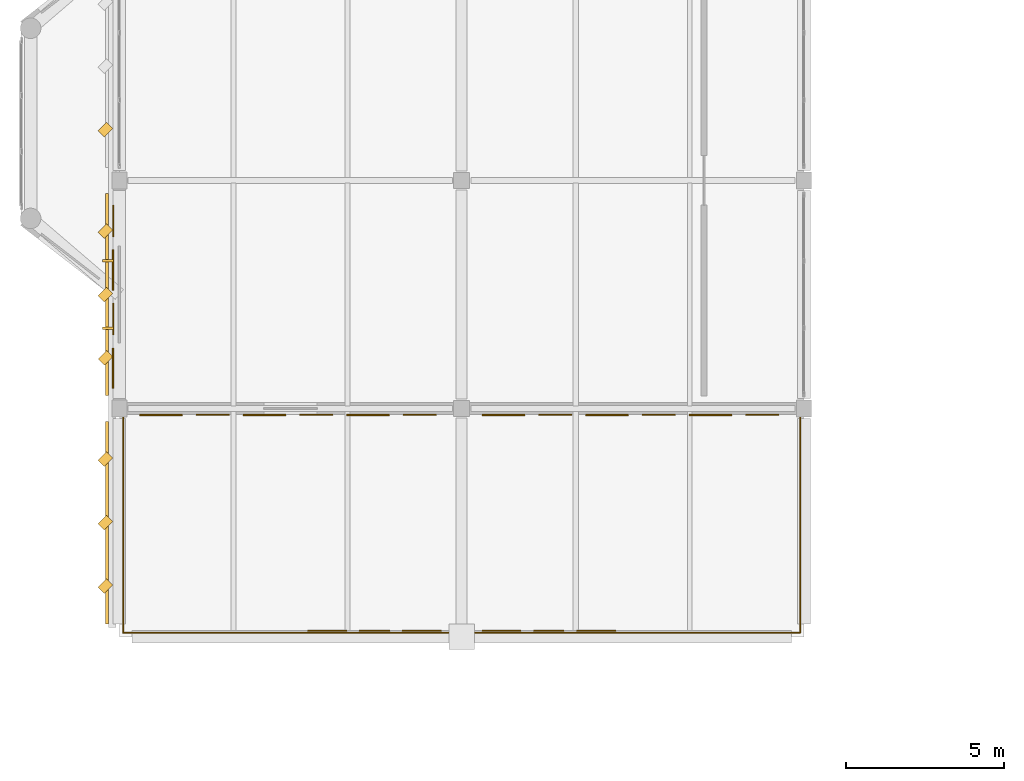
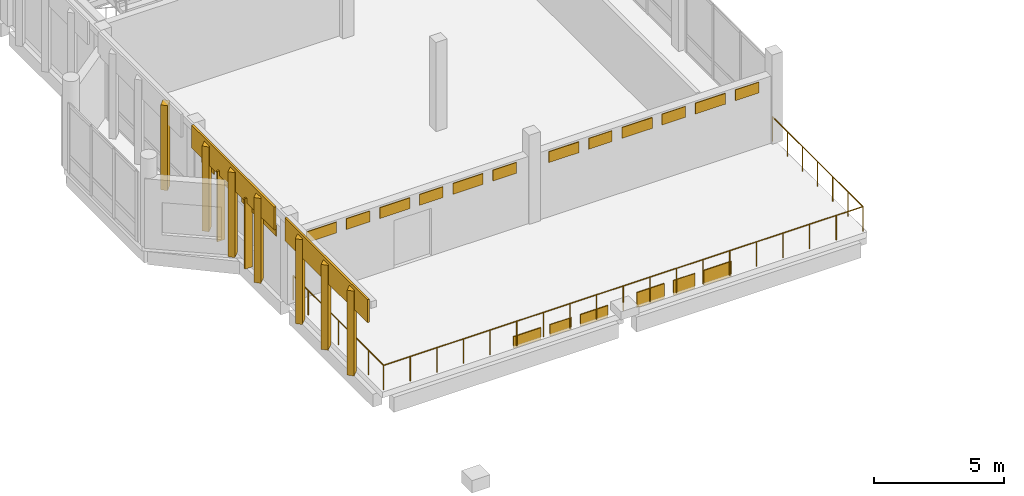
# One storey, part 63 of 72: 33 coverings, 1 railing.
"""IFC4 building model written with IfcOpenShell, lengths in metres."""

import ifcopenshell
import ifcopenshell.guid

model = None  # the IFC model being written
_history = None  # IfcOwnerHistory: only IFC2X3 demands one
_inside = {}  # id of a spatial element -> (the spatial element, [elements in it])
_under = {}  # id of a project, library or spatial element -> (it, [spatial elements below it])
_declared = {}  # id of a project -> (the project, [libraries it declares])
_typed = {}  # id of a type object -> (the type object, [elements of that type])
_made_of = {}  # id of a material, layer set ... -> (it, [elements and type objects made of it])


def new_model(schema):
    """Start an empty IFC model of exactly this schema.

    Asked for "IFC4X3", IfcOpenShell would pick the latest addendum, in which some entities
    have other attributes; the version numbers below select the first issue.
    IFC2X3 requires an IfcOwnerHistory on every rooted entity: one is made here for all.
    """
    global model, _history
    if schema == "IFC4X3":
        model = ifcopenshell.file(schema_version=(4, 3, 0, 0))
    else:
        model = ifcopenshell.file(schema=schema)
    _inside.clear()
    _under.clear()
    _declared.clear()
    _typed.clear()
    _made_of.clear()
    _history = None
    if model.schema == "IFC2X3":
        org = make("IfcOrganization", Name="unknown")
        user = make(
            "IfcPersonAndOrganization",
            ThePerson=make("IfcPerson", FamilyName="unknown"),
            TheOrganization=org,
        )
        app = make(
            "IfcApplication",
            ApplicationDeveloper=org,
            Version="unknown",
            ApplicationFullName="unknown",
            ApplicationIdentifier="unknown",
        )
        _history = make(
            "IfcOwnerHistory",
            OwningUser=user,
            OwningApplication=app,
            ChangeAction="ADDED",
            CreationDate=0,
        )
    return model


def make(cls, **values):
    """One entity of the class cls with the attributes given. An attribute that is None is left unset."""
    return model.create_entity(
        cls, **{name: value for name, value in values.items() if value is not None}
    )


def rooted(cls, **values):
    """An entity with a GlobalId (a new one), such as an element, a storey or a relation."""
    return make(cls, GlobalId=ifcopenshell.guid.new(), OwnerHistory=_history, **values)


def si_unit(unit_type, name, prefix=None):
    """IfcSIUnit, for example si_unit("LENGTHUNIT", "METRE", prefix="MILLI")."""
    return make("IfcSIUnit", UnitType=unit_type, Prefix=prefix, Name=name)


def assignment(units):
    """IfcUnitAssignment: the units of a project."""
    return None if units is None else make("IfcUnitAssignment", Units=units)


def point(xyz):
    """IfcCartesianPoint."""
    return None if xyz is None else make("IfcCartesianPoint", Coordinates=xyz)


def direction(xyz):
    """IfcDirection."""
    return None if xyz is None else make("IfcDirection", DirectionRatios=xyz)


def frame(location, z_axis=None, x_axis=None):
    """IfcAxis2Placement3D, a coordinate frame: its origin and axes. An axis left out is left unset."""
    return make(
        "IfcAxis2Placement3D",
        Location=point(location),
        Axis=direction(z_axis),
        RefDirection=direction(x_axis),
    )


def frame_2d(location, x_axis=None):
    """IfcAxis2Placement2D, a coordinate frame in the plane: its origin and x axis."""
    return make(
        "IfcAxis2Placement2D", Location=point(location), RefDirection=direction(x_axis)
    )


def origin():
    """The frame at (0, 0, 0) with its axes left unset."""
    return frame((0.0, 0.0, 0.0))


def origin_2d():
    """The frame at (0, 0) in the plane with its x axis left unset."""
    return frame_2d((0.0, 0.0))


def place(relative_to, where):
    """IfcLocalPlacement: puts the frame where relative to a parent placement (None: the world)."""
    return make(
        "IfcLocalPlacement", PlacementRelTo=relative_to, RelativePlacement=where
    )


def context(
    kind, dimensions, precision=None, world=None, true_north=None, identifier=None
):
    """IfcGeometricRepresentationContext, for example the 3D "Model" context."""
    return make(
        "IfcGeometricRepresentationContext",
        ContextIdentifier=identifier,
        ContextType=kind,
        CoordinateSpaceDimension=dimensions,
        Precision=precision,
        WorldCoordinateSystem=world,
        TrueNorth=true_north,
    )


def subcontext(parent, identifier, kind, view, scale=None):
    """IfcGeometricRepresentationSubContext, for example "Body" below "Model"."""
    return make(
        "IfcGeometricRepresentationSubContext",
        ContextIdentifier=identifier,
        ContextType=kind,
        ParentContext=parent,
        TargetScale=scale,
        TargetView=view,
    )


def project(units=None, contexts=None):
    """IfcProject with its units and contexts."""
    return rooted(
        "IfcProject",
        Name="project",
        RepresentationContexts=contexts,
        UnitsInContext=assignment(units),
    )


def spatial(cls, under=None, at=None, **own):
    """A site, building, storey or space (cls), placed at a placement, below another one or the project."""
    s = rooted(cls, ObjectPlacement=at, **own)
    if under is not None:
        _under.setdefault(under.id(), (under, []))[1].append(s)
    return s


def profile(cls, at=None, kind="AREA", **sizes):
    """A parametric profile (cls). Its sizes go by their IFC names, for example OverallWidth=200.0."""
    return make(cls, ProfileType=kind, Position=at, **sizes)


def rectangle(**sizes):
    """IfcRectangleProfileDef."""
    return profile("IfcRectangleProfileDef", **sizes)


def circle(**sizes):
    """IfcCircleProfileDef."""
    return profile("IfcCircleProfileDef", **sizes)


def extrude(swept, where, along, depth):
    """IfcExtrudedAreaSolid: the profile swept, set in the frame where, extruded along a direction by depth."""
    return make(
        "IfcExtrudedAreaSolid",
        SweptArea=swept,
        Position=where,
        ExtrudedDirection=direction(along),
        Depth=depth,
    )


def shape(context_of_items, identifier, shape_type, items):
    """IfcShapeRepresentation: the items that make up one representation, for example the "Body"."""
    return make(
        "IfcShapeRepresentation",
        ContextOfItems=context_of_items,
        RepresentationIdentifier=identifier,
        RepresentationType=shape_type,
        Items=items,
    )


def material(Name=None, Category=None):
    """IfcMaterial."""
    return make("IfcMaterial", Name=Name, Category=Category)


def layer(
    of_material, thickness, ventilated=None, Name=None, Category=None, Priority=None
):
    """IfcMaterialLayer: one layer of a wall or slab, of a material (None: an air gap)."""
    return make(
        "IfcMaterialLayer",
        Material=of_material,
        LayerThickness=thickness,
        IsVentilated=ventilated,
        Name=Name,
        Category=Category,
        Priority=Priority,
    )


def layer_set(layers, Name=None):
    """IfcMaterialLayerSet."""
    return make("IfcMaterialLayerSet", MaterialLayers=layers, LayerSetName=Name)


def made_of(thing, what):
    """Note that an element or type object is made of a material, layer set ...; save() writes the relation."""
    if what is not None:
        _made_of.setdefault(what.id(), (what, []))[1].append(thing)
    return thing


def type_object(cls, material=None, **own):
    """A type object (cls), such as IfcWallType, which elements share."""
    return made_of(rooted(cls, **own), material)


def element(
    cls,
    number,
    at=None,
    inside=None,
    cuts=None,
    type_object=None,
    material=None,
    context=None,
    identifier="Body",
    shape_type=None,
    held_by="IfcProductDefinitionShape",
    body=None,
    shapes=None,
    **own,
):
    """One element of the class cls, such as IfcWall. Its Tag is "e" and its number.

    at: its placement. inside: the storey or other place that contains it. cuts: it is an
    opening in that element (IfcRelVoidsElement). A single representation is given by context,
    identifier, shape_type and body (its items); several are given by shapes. held_by: the class
    of the entity that holds the representations. save() writes the other relations.
    """
    e = rooted(cls, Tag="e%d" % number, ObjectPlacement=at, **own)
    if body is not None:
        shapes = [shape(context, identifier, shape_type, body)]
    if shapes is not None:
        e.Representation = make(held_by, Representations=shapes)
    if inside is not None:
        _inside.setdefault(inside.id(), (inside, []))[1].append(e)
    if cuts is not None:
        rooted(
            "IfcRelVoidsElement", RelatingBuildingElement=cuts, RelatedOpeningElement=e
        )
    if type_object is not None:
        _typed.setdefault(type_object.id(), (type_object, []))[1].append(e)
    return made_of(e, material)


def aggregate(whole, parts):
    """IfcRelAggregates: a whole, such as a stair, and the parts it consists of."""
    return rooted("IfcRelAggregates", RelatingObject=whole, RelatedObjects=parts)


def save(model, path):
    """Write the relations noted so far, then the file.

    IfcRelAggregates (storeys below a building ...), IfcRelContainedInSpatialStructure (elements
    in a storey), IfcRelDefinesByType, IfcRelAssociatesMaterial and IfcRelDeclares: one each for
    every whole, place, type object, material and project.
    """
    for whole, parts in _under.values():
        aggregate(whole, parts)
    for where, things in _inside.values():
        rooted(
            "IfcRelContainedInSpatialStructure",
            RelatedElements=things,
            RelatingStructure=where,
        )
    for kind, things in _typed.values():
        rooted("IfcRelDefinesByType", RelatedObjects=things, RelatingType=kind)
    for what, things in _made_of.values():
        rooted("IfcRelAssociatesMaterial", RelatedObjects=things, RelatingMaterial=what)
    for by, libraries in _declared.values():
        rooted("IfcRelDeclares", RelatingContext=by, RelatedDefinitions=libraries)
    model.write(path)


model = new_model("IFC4")

# Units and contexts
model_context = context("Model", 3, precision=1e-05, world=origin(), true_north=direction((0.0, 1.0)))
body_context = subcontext(model_context, "Body", "Model", "MODEL_VIEW")
ifc_project = project(units=[si_unit("LENGTHUNIT", "METRE"), si_unit("AREAUNIT", "SQUARE_METRE"), si_unit("VOLUMEUNIT", "CUBIC_METRE"), si_unit("PLANEANGLEUNIT", "RADIAN"), si_unit("MASSUNIT", "GRAM", prefix="KILO")], contexts=[model_context])

# Site, building, storey
site_placement = place(None, origin())
site = spatial("IfcSite", under=ifc_project, at=site_placement, CompositionType="ELEMENT")
building_placement = place(site_placement, origin())
building = spatial("IfcBuilding", under=site, at=building_placement, Name="Lusvemor Sports Hall", CompositionType="ELEMENT")
storey_placement = place(building_placement, frame((0.0, 0.0, 15.0)))
storey = spatial("IfcBuildingStorey", under=building, at=storey_placement, Name="L03", CompositionType="ELEMENT", Elevation=15.0)

# Coverings
ifc_material_1 = material(Name="Emerald polychrome glazed ceramic cladding on Concrete C40/50 backing", Category="concrete")
ifc_layer_1 = layer(ifc_material_1, 0.0458984375)
ifc_layer_set_1 = layer_set([ifc_layer_1], Name="Emerald polychrome glazed ceramic cladding on Concrete C40/50 backing")
covering_type_1 = type_object("IfcCoveringType", Name="CLAD_WAVE_EMERALD", PredefinedType="CLADDING", material=ifc_layer_set_1)
for number, where, z_axis, x_axis, name in (
    (1, (6.556640625, 46.990478515625, -0.119873046875), (0.0, 0.0, 1.0), (1.0, 0.0, 0.0), "Art Nouveau Patterned Cladding PS-WAVEN0-0-2-1"),
    (2, (9.543212890625, 46.990478515625, -0.119873046875), (0.0, 0.0, 1.0), (1.0, 0.0, 0.0), "Art Nouveau Patterned Cladding PS-WAVEN0-0-2-3"),
):
    element("IfcCovering", number, at=place(storey_placement, frame(where, z_axis=z_axis, x_axis=x_axis)), inside=storey, type_object=covering_type_1, Name=name, PredefinedType="CLADDING", context=body_context, shape_type="SweptSolid", body=[
        extrude(rectangle(XDim=1.224609375, YDim=0.0458984375, at=origin_2d()), origin(), (0.0, 0.0, 1.0), 0.5498046875),
    ])
for number, where, z_axis, x_axis, name in (
    (3, (12.056640625, 46.990478515625, -0.1201171875), (0.0, 0.0, 1.0), (1.0, 0.0, 0.0), "Art Nouveau Patterned Cladding PS-WAVEN0-1-1-1"),
    (4, (15.043212890625, 46.990478515625, -0.1201171875), (0.0, 0.0, 1.0), (1.0, 0.0, 0.0), "Art Nouveau Patterned Cladding PS-WAVEN0-1-1-3"),
):
    element("IfcCovering", number, at=place(storey_placement, frame(where, z_axis=z_axis, x_axis=x_axis)), inside=storey, type_object=covering_type_1, Name=name, PredefinedType="CLADDING", context=body_context, shape_type="SweptSolid", body=[
        extrude(rectangle(XDim=1.224609375, YDim=0.0458984375, at=origin_2d()), origin(), (0.0, 0.0, 1.0), 0.7041015625),
    ])
for number, where, z_axis, x_axis, name in (
    (5, (-0.197998046875, 55.27490234375, 2.669921875), (0.0, 0.0, 1.0), (1.0, 0.0, 0.0), "Art Nouveau Patterned Cladding PS-EW-L03-W-0-0-1"),
    (6, (-0.197998046875, 58.375, 2.669921875), (0.0, 0.0, 1.0), (1.0, 0.0, 0.0), "Art Nouveau Patterned Cladding PS-EW-L03-W-0-0-3"),
):
    element("IfcCovering", number, at=place(storey_placement, frame(where, z_axis=z_axis, x_axis=x_axis)), inside=storey, type_object=covering_type_1, Name=name, PredefinedType="CLADDING", context=body_context, shape_type="SweptSolid", body=[
        extrude(rectangle(XDim=0.0458984375, YDim=1.27099609375, at=origin_2d()), origin(), (0.0, 0.0, 1.0), 0.510009765625),
    ])
for number, where, z_axis, x_axis, name in (
    (7, (1.316650390625, 53.802001953125, 2.580078125), (0.0, 0.0, 1.0), (1.0, 0.0, 0.0), "Art Nouveau Patterned Cladding PS-EW-L03-S-5-0-1"),
    (8, (4.583251953125, 53.802001953125, 2.580078125), (0.0, 0.0, 1.0), (1.0, 0.0, 0.0), "Art Nouveau Patterned Cladding PS-EW-L03-S-5-0-3"),
    (9, (7.85009765625, 53.802001953125, 2.580078125), (0.0, 0.0, 1.0), (1.0, 0.0, 0.0), "Art Nouveau Patterned Cladding PS-EW-L03-S-5-0-5"),
    (10, (12.11669921875, 53.802001953125, 2.580078125), (0.0, 0.0, 1.0), (1.0, 0.0, 0.0), "Art Nouveau Patterned Cladding PS-EW-L03-S-5-1-1"),
    (11, (15.38330078125, 53.802001953125, 2.580078125), (0.0, 0.0, 1.0), (1.0, 0.0, 0.0), "Art Nouveau Patterned Cladding PS-EW-L03-S-5-1-3"),
    (12, (18.64990234375, 53.802001953125, 2.580078125), (0.0, 0.0, 1.0), (1.0, 0.0, 0.0), "Art Nouveau Patterned Cladding PS-EW-L03-S-5-1-5"),
):
    element("IfcCovering", number, at=place(storey_placement, frame(where, z_axis=z_axis, x_axis=x_axis)), inside=storey, type_object=covering_type_1, Name=name, PredefinedType="CLADDING", context=body_context, shape_type="SweptSolid", body=[
        extrude(rectangle(XDim=1.33935546875, YDim=0.0458984375, at=origin_2d()), origin(), (0.0, 0.0, 1.0), 0.510009765625),
    ])
for number, where, z_axis, x_axis, name in (
    (13, (-0.43994140625, 50.39990234375, 0.10009765625), (0.0, 0.0, 1.0), (0.707106781187, 0.707106781187, 0.0), "Patterned Diamond Cladding Rib 999"),
    (14, (-0.43994140625, 57.60009765625, 0.10009765625), (0.0, 0.0, 1.0), (0.707106781187, 0.707106781187, 0.0), "Patterned Diamond Cladding Rib 1015"),
):
    element("IfcCovering", number, at=place(storey_placement, frame(where, z_axis=z_axis, x_axis=x_axis)), inside=storey, type_object=covering_type_1, Name=name, PredefinedType="CLADDING", context=body_context, shape_type="SweptSolid", body=[
        extrude(rectangle(XDim=0.3798828125, YDim=0.280029296875, at=origin_2d()), origin(), (0.0, 0.0, 1.0), 4.0),
    ])
ifc_material_2 = material(Name="Warm terracotta Art Nouveau ceramic cladding on Concrete C40/50 backing", Category="masonry")
ifc_layer_2 = layer(ifc_material_2, 0.0380859375)
ifc_layer_set_2 = layer_set([ifc_layer_2], Name="Warm terracotta Art Nouveau ceramic cladding on Concrete C40/50 backing")
covering_type_2 = type_object("IfcCoveringType", Name="CLAD_WAVE_OCHRE", PredefinedType="CLADDING", material=ifc_layer_set_2)
covering_1_placement = place(storey_placement, frame((8.050048828125, 46.986572265625, -0.119873046875), z_axis=(0.0, 0.0, 1.0), x_axis=(1.0, 0.0, 0.0)))
element("IfcCovering", 15, at=covering_1_placement, inside=storey, type_object=covering_type_2, Name="Art Nouveau Patterned Cladding PS-WAVEN0-0-2-2", PredefinedType="CLADDING", context=body_context, shape_type="SweptSolid", body=[
    extrude(rectangle(XDim=0.955810546875, YDim=0.0380859375, at=origin_2d()), origin(), (0.0, 0.0, 1.0), 0.5498046875),
])
covering_2_placement = place(storey_placement, frame((13.550048828125, 46.986572265625, -0.1201171875), z_axis=(0.0, 0.0, 1.0), x_axis=(1.0, 0.0, 0.0)))
element("IfcCovering", 16, at=covering_2_placement, inside=storey, type_object=covering_type_2, Name="Art Nouveau Patterned Cladding PS-WAVEN0-1-1-2", PredefinedType="CLADDING", context=body_context, shape_type="SweptSolid", body=[
    extrude(rectangle(XDim=0.955810546875, YDim=0.0380859375, at=origin_2d()), origin(), (0.0, 0.0, 1.0), 0.7041015625),
])
for number, where, z_axis, x_axis, name in (
    (17, (-0.194091796875, 56.824951171875, 2.669921875), (0.0, 0.0, 1.0), (1.0, 0.0, 0.0), "Art Nouveau Patterned Cladding PS-EW-L03-W-0-0-2"),
    (18, (-0.194091796875, 59.925048828125, 2.669921875), (0.0, 0.0, 1.0), (1.0, 0.0, 0.0), "Art Nouveau Patterned Cladding PS-EW-L03-W-0-0-4"),
):
    element("IfcCovering", number, at=place(storey_placement, frame(where, z_axis=z_axis, x_axis=x_axis)), inside=storey, type_object=covering_type_2, Name=name, PredefinedType="CLADDING", context=body_context, shape_type="SweptSolid", body=[
        extrude(rectangle(XDim=0.0380859375, YDim=0.991943359375, at=origin_2d()), origin(), (0.0, 0.0, 1.0), 0.510009765625),
    ])
for number, where, z_axis, x_axis, name in (
    (19, (2.949951171875, 53.805908203125, 2.580078125), (0.0, 0.0, 1.0), (1.0, 0.0, 0.0), "Art Nouveau Patterned Cladding PS-EW-L03-S-5-0-2"),
    (20, (6.216796875, 53.805908203125, 2.580078125), (0.0, 0.0, 1.0), (1.0, 0.0, 0.0), "Art Nouveau Patterned Cladding PS-EW-L03-S-5-0-4"),
    (21, (9.4833984375, 53.805908203125, 2.580078125), (0.0, 0.0, 1.0), (1.0, 0.0, 0.0), "Art Nouveau Patterned Cladding PS-EW-L03-S-5-0-6"),
    (22, (13.75, 53.805908203125, 2.580078125), (0.0, 0.0, 1.0), (1.0, 0.0, 0.0), "Art Nouveau Patterned Cladding PS-EW-L03-S-5-1-2"),
    (23, (17.0166015625, 53.805908203125, 2.580078125), (0.0, 0.0, 1.0), (1.0, 0.0, 0.0), "Art Nouveau Patterned Cladding PS-EW-L03-S-5-1-4"),
    (24, (20.283203125, 53.805908203125, 2.580078125), (0.0, 0.0, 1.0), (1.0, 0.0, 0.0), "Art Nouveau Patterned Cladding PS-EW-L03-S-5-1-6"),
):
    element("IfcCovering", number, at=place(storey_placement, frame(where, z_axis=z_axis, x_axis=x_axis)), inside=storey, type_object=covering_type_2, Name=name, PredefinedType="CLADDING", context=body_context, shape_type="SweptSolid", body=[
        extrude(rectangle(XDim=1.04541015625, YDim=0.0380859375, at=origin_2d()), origin(), (0.0, 0.0, 1.0), 0.510009765625),
    ])
for number, where, z_axis, x_axis, name in (
    (25, (-0.389892578125, 50.39990234375, 3.179931640625), (0.0, 0.0, 1.0), (1.0, 0.0, 0.0), "Art Nouveau Spandrel Cornice 997"),
    (26, (-0.389892578125, 57.60009765625, 3.179931640625), (0.0, 0.0, 1.0), (1.0, 0.0, 0.0), "Art Nouveau Spandrel Cornice 1013"),
):
    element("IfcCovering", number, at=place(storey_placement, frame(where, z_axis=z_axis, x_axis=x_axis)), inside=storey, type_object=covering_type_2, Name=name, PredefinedType="CLADDING", context=body_context, shape_type="SweptSolid", body=[
        extrude(rectangle(XDim=0.090087890625, YDim=6.3798828125, at=origin_2d()), origin(), (0.0, 0.0, 1.0), 1.080078125),
    ])
ifc_material_3 = material(Name="Emerald polychrome glazed ceramic cladding on Concrete C40/50 backing", Category="concrete")
ifc_layer_3 = layer(ifc_material_3, 0.35009765625)
ifc_layer_set_3 = layer_set([ifc_layer_3], Name="Emerald polychrome glazed ceramic cladding on Concrete C40/50 backing")
covering_type_3 = type_object("IfcCoveringType", Name="FIN_BRISE_CER_350", PredefinedType="MOLDING", material=ifc_layer_set_3)
for number, where, z_axis, x_axis, name in (
    (27, (-0.360107421875, 56.5400390625, 0.10009765625), (0.0, 0.0, 1.0), (1.0, 0.0, 0.0), "Wing Brise-Soleil Fin L03-W-0-0-1"),
    (28, (-0.360107421875, 58.659912109375, 0.10009765625), (0.0, 0.0, 1.0), (1.0, 0.0, 0.0), "Wing Brise-Soleil Fin L03-W-0-0-2"),
):
    element("IfcCovering", number, at=place(storey_placement, frame(where, z_axis=z_axis, x_axis=x_axis)), inside=storey, type_object=covering_type_3, Name=name, PredefinedType="MOLDING", context=body_context, shape_type="SweptSolid", body=[
        extrude(rectangle(XDim=0.35009765625, YDim=0.080078125, at=origin_2d()), origin(), (0.0, 0.0, 1.0), 3.320068359375),
    ])
ifc_material_4 = material(Name="Warm terracotta Art Nouveau ceramic cladding on Concrete C40/50 backing", Category="masonry")
ifc_layer_4 = layer(ifc_material_4, 0.449951171875)
ifc_layer_set_4 = layer_set([ifc_layer_4], Name="Warm terracotta Art Nouveau ceramic cladding on Concrete C40/50 backing")
covering_type_4 = type_object("IfcCoveringType", Name="FIN_BRISE_CER_450", PredefinedType="MOLDING", material=ifc_layer_set_4)
for number, where, z_axis, x_axis, name in (
    (29, (-0.43994140625, 48.39990234375, 0.10009765625), (0.0, 0.0, 1.0), (0.707106781187, 0.707106781187, 0.0), "Patterned Diamond Cladding Rib 998"),
    (30, (-0.43994140625, 52.39990234375, 0.10009765625), (0.0, 0.0, 1.0), (0.707106781187, 0.707106781187, 0.0), "Patterned Diamond Cladding Rib 1000"),
    (31, (-0.43994140625, 55.60009765625, 0.10009765625), (0.0, 0.0, 1.0), (0.707106781187, 0.707106781187, 0.0), "Patterned Diamond Cladding Rib 1014"),
    (32, (-0.43994140625, 59.60009765625, 0.10009765625), (0.0, 0.0, 1.0), (0.707106781187, 0.707106781187, 0.0), "Patterned Diamond Cladding Rib 1016"),
    (33, (-0.43994140625, 62.800048828125, 0.10009765625), (0.0, 0.0, 1.0), (0.707106781187, 0.707106781187, 0.0), "Patterned Diamond Cladding Rib 1030"),
):
    element("IfcCovering", number, at=place(storey_placement, frame(where, z_axis=z_axis, x_axis=x_axis)), inside=storey, type_object=covering_type_4, Name=name, PredefinedType="MOLDING", context=body_context, shape_type="SweptSolid", body=[
        extrude(rectangle(XDim=0.3798828125, YDim=0.280029296875, at=origin_2d()), origin(), (0.0, 0.0, 1.0), 4.0),
    ])

# Railing
ifc_material_5 = material(Name="Bronze-finished wrought-steel Art Nouveau balustrade", Category="steel")
railing_type = type_object("IfcRailingType", Name="RAIL_TERR_GUARD_118", PredefinedType="GUARDRAIL", material=ifc_material_5)
railing_placement = place(storey_placement, frame((0.1201171875, 53.89990234375, 0.0)))
element("IfcRailing", 34, at=railing_placement, inside=storey, type_object=railing_type, Name="West Studio Viewing Terrace Guard", PredefinedType="GUARDRAIL", context=body_context, shape_type="SweptSolid", body=[
    extrude(circle(Radius=0.02392578125, at=origin_2d()), frame((0.0, 0.0, 1.15576171875), z_axis=(0.0, -1.0, 0.0), x_axis=(1.0, 0.0, 0.0)), (0.0, 0.0, 1.0), 6.97998046875),
    extrude(circle(Radius=0.02392578125, at=origin_2d()), frame((0.0, -6.97998046875, 1.15576171875), z_axis=(1.0, 0.0, 0.0), x_axis=(0.0, 1.0, 0.0)), (0.0, 0.0, 1.0), 21.35986328125),
    extrude(circle(Radius=0.02392578125, at=origin_2d()), frame((21.35986328125, -6.97998046875, 1.15576171875), z_axis=(0.0, 1.0, 0.0), x_axis=(-1.0, 0.0, 0.0)), (0.0, 0.0, 1.0), 6.97998046875),
    extrude(circle(Radius=0.02099609375, at=origin_2d()), origin(), (0.0, 0.0, 1.0), 1.1318359375),
    extrude(circle(Radius=0.02099609375, at=origin_2d()), frame((0.0, -1.163330078125, 0.0)), (0.0, 0.0, 1.0), 1.1318359375),
    extrude(circle(Radius=0.02099609375, at=origin_2d()), frame((0.0, -2.32666015625, 0.0)), (0.0, 0.0, 1.0), 1.1318359375),
    extrude(circle(Radius=0.02099609375, at=origin_2d()), frame((0.0, -3.489990234375, 0.0)), (0.0, 0.0, 1.0), 1.1318359375),
    extrude(circle(Radius=0.02099609375, at=origin_2d()), frame((0.0, -4.6533203125, 0.0)), (0.0, 0.0, 1.0), 1.1318359375),
    extrude(circle(Radius=0.02099609375, at=origin_2d()), frame((0.0, -5.816650390625, 0.0)), (0.0, 0.0, 1.0), 1.1318359375),
    extrude(circle(Radius=0.02099609375, at=origin_2d()), frame((0.0, -6.97998046875, 0.0)), (0.0, 0.0, 1.0), 1.1318359375),
    extrude(circle(Radius=0.02099609375, at=origin_2d()), frame((1.186767578125, -6.97998046875, 0.0)), (0.0, 0.0, 1.0), 1.1318359375),
    extrude(circle(Radius=0.02099609375, at=origin_2d()), frame((2.373291015625, -6.97998046875, 0.0)), (0.0, 0.0, 1.0), 1.1318359375),
    extrude(circle(Radius=0.02099609375, at=origin_2d()), frame((3.56005859375, -6.97998046875, 0.0)), (0.0, 0.0, 1.0), 1.1318359375),
    extrude(circle(Radius=0.02099609375, at=origin_2d()), frame((4.74658203125, -6.97998046875, 0.0)), (0.0, 0.0, 1.0), 1.1318359375),
    extrude(circle(Radius=0.02099609375, at=origin_2d()), frame((5.933349609375, -6.97998046875, 0.0)), (0.0, 0.0, 1.0), 1.1318359375),
    extrude(circle(Radius=0.02099609375, at=origin_2d()), frame((7.119873046875, -6.97998046875, 0.0)), (0.0, 0.0, 1.0), 1.1318359375),
    extrude(circle(Radius=0.02099609375, at=origin_2d()), frame((8.306640625, -6.97998046875, 0.0)), (0.0, 0.0, 1.0), 1.1318359375),
    extrude(circle(Radius=0.02099609375, at=origin_2d()), frame((9.4931640625, -6.97998046875, 0.0)), (0.0, 0.0, 1.0), 1.1318359375),
    extrude(circle(Radius=0.02099609375, at=origin_2d()), frame((10.679931640625, -6.97998046875, 0.0)), (0.0, 0.0, 1.0), 1.1318359375),
    extrude(circle(Radius=0.02099609375, at=origin_2d()), frame((11.86669921875, -6.97998046875, 0.0)), (0.0, 0.0, 1.0), 1.1318359375),
    extrude(circle(Radius=0.02099609375, at=origin_2d()), frame((13.05322265625, -6.97998046875, 0.0)), (0.0, 0.0, 1.0), 1.1318359375),
    extrude(circle(Radius=0.02099609375, at=origin_2d()), frame((14.239990234375, -6.97998046875, 0.0)), (0.0, 0.0, 1.0), 1.1318359375),
    extrude(circle(Radius=0.02099609375, at=origin_2d()), frame((15.426513671875, -6.97998046875, 0.0)), (0.0, 0.0, 1.0), 1.1318359375),
    extrude(circle(Radius=0.02099609375, at=origin_2d()), frame((16.61328125, -6.97998046875, 0.0)), (0.0, 0.0, 1.0), 1.1318359375),
    extrude(circle(Radius=0.02099609375, at=origin_2d()), frame((17.7998046875, -6.97998046875, 0.0)), (0.0, 0.0, 1.0), 1.1318359375),
    extrude(circle(Radius=0.02099609375, at=origin_2d()), frame((18.986572265625, -6.97998046875, 0.0)), (0.0, 0.0, 1.0), 1.1318359375),
    extrude(circle(Radius=0.02099609375, at=origin_2d()), frame((20.173095703125, -6.97998046875, 0.0)), (0.0, 0.0, 1.0), 1.1318359375),
    extrude(circle(Radius=0.02099609375, at=origin_2d()), frame((21.35986328125, -6.97998046875, 0.0)), (0.0, 0.0, 1.0), 1.1318359375),
    extrude(circle(Radius=0.02099609375, at=origin_2d()), frame((21.35986328125, -5.816650390625, 0.0)), (0.0, 0.0, 1.0), 1.1318359375),
    extrude(circle(Radius=0.02099609375, at=origin_2d()), frame((21.35986328125, -4.6533203125, 0.0)), (0.0, 0.0, 1.0), 1.1318359375),
    extrude(circle(Radius=0.02099609375, at=origin_2d()), frame((21.35986328125, -3.489990234375, 0.0)), (0.0, 0.0, 1.0), 1.1318359375),
    extrude(circle(Radius=0.02099609375, at=origin_2d()), frame((21.35986328125, -2.32666015625, 0.0)), (0.0, 0.0, 1.0), 1.1318359375),
    extrude(circle(Radius=0.02099609375, at=origin_2d()), frame((21.35986328125, -1.163330078125, 0.0)), (0.0, 0.0, 1.0), 1.1318359375),
    extrude(circle(Radius=0.02099609375, at=origin_2d()), frame((21.35986328125, 0.0, 0.0)), (0.0, 0.0, 1.0), 1.1318359375),
])

save(model, "model.ifc")
